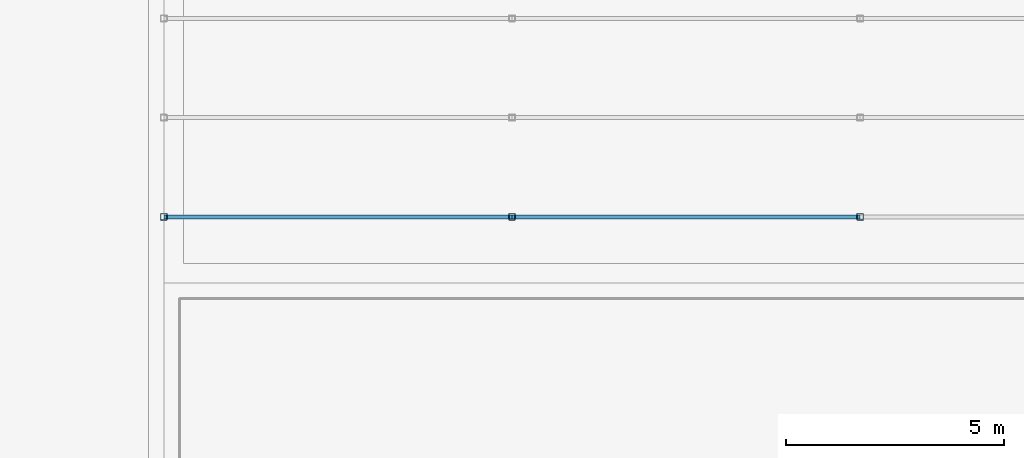
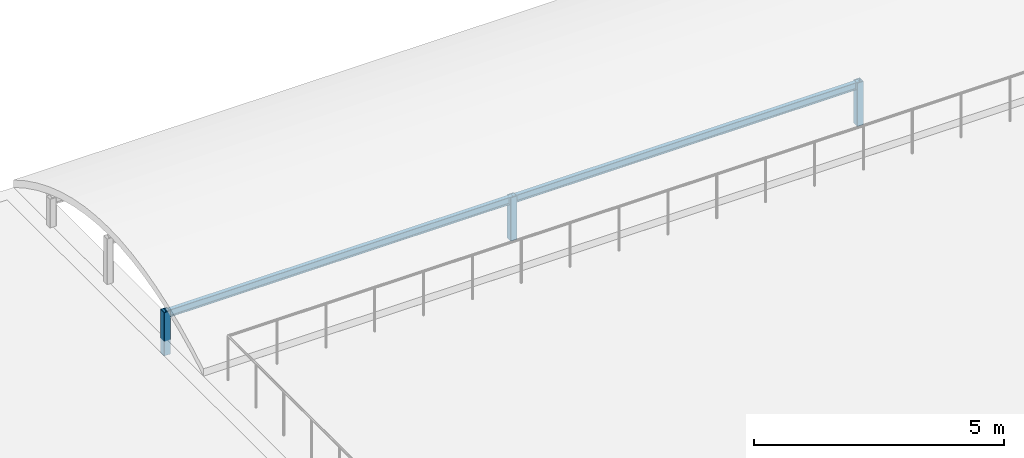
# One storey, part 8 of 46: 5 members.
"""IFC4 building model written with IfcOpenShell, lengths in metres."""

from ifc_helpers import new_model, si_unit, direction, frame, origin, origin_2d, place, context, subcontext, project, spatial, hollow_rectangle, i_section, extrude, material, material_profile, profile_set, type_object, element, save


model = new_model("IFC4")

# Units and contexts
model_context = context("Model", 3, precision=1e-05, world=origin(), true_north=direction((0.0, 1.0)))
body_context = subcontext(model_context, "Body", "Model", "MODEL_VIEW")
ifc_project = project(units=[si_unit("LENGTHUNIT", "METRE"), si_unit("AREAUNIT", "SQUARE_METRE"), si_unit("VOLUMEUNIT", "CUBIC_METRE"), si_unit("PLANEANGLEUNIT", "RADIAN"), si_unit("MASSUNIT", "GRAM", prefix="KILO")], contexts=[model_context])

# Site, building, storey
site_placement = place(None, origin())
site = spatial("IfcSite", under=ifc_project, at=site_placement, CompositionType="ELEMENT")
building_placement = place(site_placement, origin())
building = spatial("IfcBuilding", under=site, at=building_placement, Name="Shalkamar Park Central Library", CompositionType="ELEMENT")
storey_placement = place(building_placement, frame((0.0, 0.0, 20.39990234375)))
storey = spatial("IfcBuildingStorey", under=building, at=storey_placement, Name="L05", CompositionType="ELEMENT", Elevation=20.39990234375)

# Members
ifc_material = material(Name="Steel S355", Category="steel")
ifc_material_profile_1 = material_profile(ifc_material, hollow_rectangle(XDim=0.14990234375, YDim=0.14990234375, WallThickness=0.008056640625, InnerFilletRadius=0.008056640625, OuterFilletRadius=0.011962890625, at=origin_2d()), Name="SHS 150x150x8")
ifc_profile_set_1 = profile_set([ifc_material_profile_1], Name="Steel S355")
member_type_1 = type_object("IfcMemberType", Name="Diagonal Brace SHS150", PredefinedType="BRACE", material=ifc_profile_set_1)
for number, where, z_axis, x_axis, name in (
    (1, (165.0, 309.919921875, -0.35986328125), (0.0, 0.0, 1.0), (1.0, 0.0, 0.0), "Vault Arch Post BV-L04-NN-07.1"),
    (2, (173.0, 309.919921875, -0.35986328125), (0.0, 0.0, 1.0), (1.0, 0.0, 0.0), "Vault Arch Post BV-L04-NN-08.1"),
    (3, (181.0, 309.919921875, -0.35986328125), (0.0, 0.0, 1.0), (1.0, 0.0, 0.0), "Vault Arch Post BV-L04-NN-09.1"),
):
    element("IfcMember", number, at=place(storey_placement, frame(where, z_axis=z_axis, x_axis=x_axis)), inside=storey, type_object=member_type_1, Name=name, PredefinedType="BRACE", context=body_context, shape_type="SweptSolid", body=[
        extrude(hollow_rectangle(XDim=0.14990234375, YDim=0.14990234375, WallThickness=0.008056640625, InnerFilletRadius=0.008056640625, OuterFilletRadius=0.011962890625, at=origin_2d()), origin(), (0.0, 0.0, 1.0), 1.055908203125),
    ])
ifc_material_profile_2 = material_profile(ifc_material, i_section(OverallWidth=0.091064453125, OverallDepth=0.179931640625, WebThickness=0.00537109375, FlangeThickness=0.008056640625, FilletRadius=0.009033203125, at=origin_2d()), Name="IPE 180")
ifc_profile_set_2 = profile_set([ifc_material_profile_2], Name="Steel S355")
member_type_2 = type_object("IfcMemberType", Name="Roof Purlin IPE180", PredefinedType="PURLIN", material=ifc_profile_set_2)
for number, where, z_axis, x_axis, name in (
    (4, (165.0, 309.919921875, 0.606201171875), (1.0, 0.0, 0.0), (0.0, 1.0, 0.0), "Barrel Roof Purlin BV-L04-NN-1.07"),
    (5, (173.0, 309.919921875, 0.606201171875), (1.0, 0.0, 0.0), (0.0, 1.0, 0.0), "Barrel Roof Purlin BV-L04-NN-1.08"),
):
    element("IfcMember", number, at=place(storey_placement, frame(where, z_axis=z_axis, x_axis=x_axis)), inside=storey, type_object=member_type_2, Name=name, PredefinedType="PURLIN", context=body_context, shape_type="SweptSolid", body=[
        extrude(i_section(OverallWidth=0.091064453125, OverallDepth=0.179931640625, WebThickness=0.00537109375, FlangeThickness=0.008056640625, FilletRadius=0.009033203125, at=origin_2d()), origin(), (0.0, 0.0, 1.0), 8.0),
    ])

save(model, "model.ifc")
